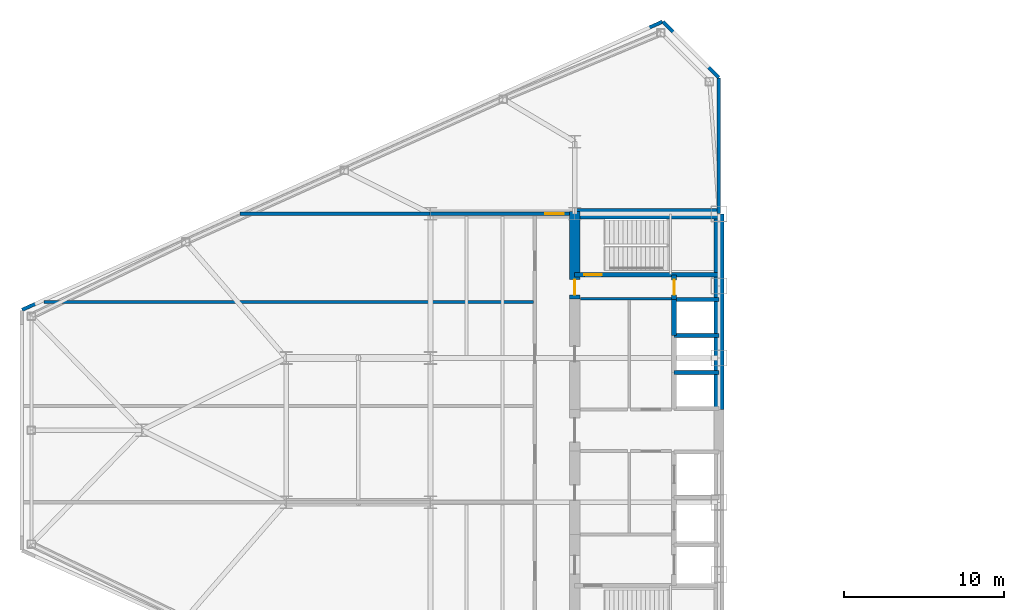
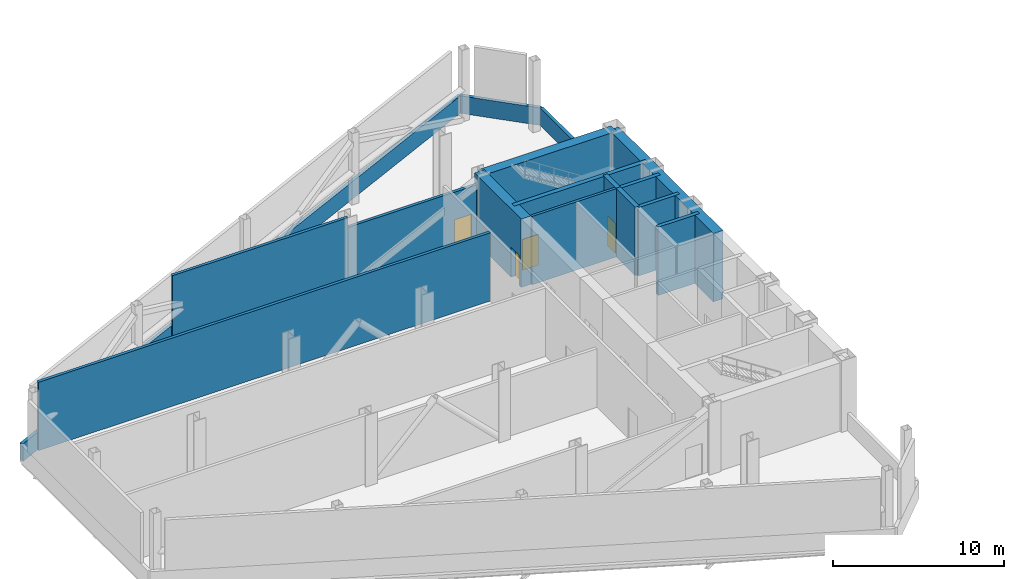
# One storey, part 7 of 11: 16 walls, 4 doors, 4 openings.
"""IFC4 building model written with IfcOpenShell, lengths in metres."""

from ifc_helpers import new_model, si_unit, direction, frame, frame_2d, origin, place, context, subcontext, project, spatial, rectangle, extrude, source, transform, mapped, material, layer, layer_set, type_object, type_shapes, element, fill, save


model = new_model("IFC4")

# Units and contexts
model_context = context("Model", 3, precision=1e-05, world=origin(), true_north=direction((0.0, 1.0)))
body_context = subcontext(model_context, "Body", "Model", "MODEL_VIEW")
ifc_project = project(units=[si_unit("LENGTHUNIT", "METRE"), si_unit("AREAUNIT", "SQUARE_METRE"), si_unit("VOLUMEUNIT", "CUBIC_METRE"), si_unit("PLANEANGLEUNIT", "RADIAN"), si_unit("MASSUNIT", "GRAM", prefix="KILO")], contexts=[model_context])

# Site, building, storey
site_placement = place(None, origin())
site = spatial("IfcSite", under=ifc_project, at=site_placement, CompositionType="ELEMENT")
building_placement = place(site_placement, origin())
building = spatial("IfcBuilding", under=site, at=building_placement, Name="Seokmaru Belvedere", CompositionType="ELEMENT")
storey_placement = place(building_placement, frame((0.0, 0.0, 87.300048828125)))
storey = spatial("IfcBuildingStorey", under=building, at=storey_placement, Name="L23", CompositionType="ELEMENT", Elevation=87.300048828125)

# Walls
ifc_material_1 = material(Name="Fire-Rated Gypsum Shaftwall")
ifc_layer_1 = layer(ifc_material_1, 0.179931640625)
ifc_layer_set_1 = layer_set([ifc_layer_1], Name="Fire-Rated Gypsum Shaftwall")
wall_type_1 = type_object("IfcWallType", Name="Core Service Fire Partition 180", PredefinedType="PARTITIONING", material=ifc_layer_set_1)
wall_1_placement = place(storey_placement, frame((-36.14990234375, 8.199951171875, 0.0), z_axis=(0.0, 0.0, 1.0), x_axis=(1.0, 0.0, 0.0)))
element("IfcWall", 1, at=wall_1_placement, inside=storey, type_object=wall_type_1, Name="L23 West Smokeproof Vestibule Partition", PredefinedType="PARTITIONING", context=body_context, shape_type="SweptSolid", body=[
    extrude(rectangle(XDim=5.699951171875, YDim=0.179931640625, at=frame_2d((2.85009765625, 0.0))), origin(), (0.0, 0.0, 1.0), 4.8798828125),
])
ifc_material_2 = material(Name="Concrete C50 (50 MPa)", Category="concrete")
ifc_layer_2 = layer(ifc_material_2, 0.25)
ifc_layer_set_2 = layer_set([ifc_layer_2], Name="Concrete C50 (50 MPa)")
wall_type_2 = type_object("IfcWallType", Name="Hoistway Transverse Concrete Divider Wall 250", PredefinedType="SHEAR", material=ifc_layer_set_2)
for number, where, z_axis, x_axis, name in (
    (2, (-30.300048828125, 3.60009765625, 0.0), (0.0, 0.0, 1.0), (1.0, 0.0, 0.0), "L23 West Hoistway Divider Core Wall 5"),
    (3, (-30.300048828125, 5.89990234375, 0.0), (0.0, 0.0, 1.0), (1.0, 0.0, 0.0), "L23 West Hoistway Divider Core Wall 6"),
    (4, (-30.300048828125, 8.14990234375, 0.0), (0.0, 0.0, 1.0), (1.0, 0.0, 0.0), "L23 West Hoistway Divider Core Wall 7"),
):
    element("IfcWall", number, at=place(storey_placement, frame(where, z_axis=z_axis, x_axis=x_axis)), inside=storey, type_object=wall_type_2, Name=name, PredefinedType="SHEAR", context=body_context, shape_type="SweptSolid", body=[
        extrude(rectangle(XDim=2.800048828125, YDim=0.25, at=frame_2d((1.39990234375, 0.0))), origin(), (0.0, 0.0, 1.0), 4.8798828125),
    ])
ifc_layer_3 = layer(ifc_material_1, 0.199951171875)
ifc_layer_set_3 = layer_set([ifc_layer_3], Name="Fire-Rated Gypsum Shaftwall")
wall_type_3 = type_object("IfcWallType", Name="Inter-Tenancy Fire Compartment Partition 200", PredefinedType="PARTITIONING", material=ifc_layer_set_3)
wall_2_placement = place(storey_placement, frame((-69.608642578125, 8.0, 0.0), z_axis=(0.0, 0.0, 1.0), x_axis=(1.0, 0.0, 0.0)))
element("IfcWall", 5, at=wall_2_placement, inside=storey, type_object=wall_type_3, Name="L23 Interior Partition 007", PredefinedType="PARTITIONING", context=body_context, shape_type="SweptSolid", body=[
    extrude(rectangle(XDim=30.523681640625, YDim=0.199951171875, at=frame_2d((15.26171875, 0.0))), origin(), (0.0, 0.0, 1.0), 4.8798828125),
])
wall_3_placement = place(storey_placement, frame((-57.386474609375, 13.5, 0.0), z_axis=(0.0, 0.0, 1.0), x_axis=(1.0, 0.0, 0.0)))
element("IfcWall", 6, at=wall_3_placement, inside=storey, type_object=wall_type_3, Name="L23 Interior Partition 009", PredefinedType="PARTITIONING", context=body_context, shape_type="SweptSolid", body=[
    extrude(rectangle(XDim=11.866455078125, YDim=0.199951171875, at=frame_2d((5.93310546875, 0.0))), origin(), (0.0, 0.0, 1.0), 4.8798828125),
])

# Wall, opening, door
wall_4_placement = place(storey_placement, frame((-45.52001953125, 13.5, 0.0), z_axis=(0.0, 0.0, 1.0), x_axis=(1.0, 0.0, 0.0)))
wall_4 = element("IfcWall", 7, at=wall_4_placement, inside=storey, type_object=wall_type_3, Name="L23 Interior Partition 009 Part 2", PredefinedType="PARTITIONING", context=body_context, shape_type="SweptSolid", body=[
    extrude(rectangle(XDim=8.68994140625, YDim=0.199951171875, at=frame_2d((4.344970703125, 0.0))), origin(), (0.0, 0.0, 1.0), 4.179931640625),
])
opening_1_placement = place(wall_4_placement, frame((7.195068359375, 0.0, 0.0)))
opening_1 = element("IfcOpeningElement", 8, at=opening_1_placement, cuts=wall_4, Name="Opening D02", PredefinedType="OPENING", context=body_context, shape_type="SweptSolid", body=[
    extrude(rectangle(XDim=1.14990234375, YDim=2.199951171875, at=frame_2d((0.574951171875, 1.10009765625))), frame((0.0, 0.10986328125, 0.0), z_axis=(0.0, -1.0, 0.0), x_axis=(1.0, 0.0, 0.0)), (0.0, 0.0, 1.0), 0.219970703125),
])
ifc_material_3 = material(Name="Fire-Rated Steel Leaf", Category="steel")
door_type_1 = type_object("IfcDoorType", Name="Lobby and Vestibule Fire Door 1150x2200", OperationType="NOTDEFINED", PredefinedType="DOOR", material=ifc_material_3)
shared_shape_1 = source(origin(), body_context, "Body", "SweptSolid", [
    extrude(rectangle(XDim=1.14990234375, YDim=2.199951171875, at=frame_2d((0.574951171875, 1.10009765625))), frame((0.0, 0.02490234375, 0.0), z_axis=(0.0, -1.0, 0.0), x_axis=(1.0, 0.0, 0.0)), (0.0, 0.0, 1.0), 0.050048828125),
])
type_shapes(door_type_1, [shared_shape_1])
door_1_placement = place(opening_1_placement, origin())
door_1 = element("IfcDoor", 9, at=door_1_placement, inside=storey, type_object=door_type_1, Name="L23 Interior Door 002", OperationType="SINGLE_SWING_RIGHT", OverallHeight=2.199951171875, OverallWidth=1.14990234375, PredefinedType="DOOR", context=body_context, shape_type="MappedRepresentation", body=[
    mapped(shared_shape_1, transform((0.0, 0.0, 0.0), scale=1.0)),
])
fill(opening_1, door_1)

ifc_layer_4 = layer(ifc_material_2, 0.300048828125)
ifc_layer_set_4 = layer_set([ifc_layer_4], Name="Concrete C50 (50 MPa)")
wall_type_4 = type_object("IfcWallType", Name="Internal Core Stair and Hoistway Wall 300", PredefinedType="SHEAR", material=ifc_layer_set_4)
wall_5_placement = place(storey_placement, frame((-36.5, 9.699951171875, 0.0), z_axis=(0.0, 0.0, 1.0), x_axis=(1.0, 0.0, 0.0)))
wall_5 = element("IfcWall", 10, at=wall_5_placement, inside=storey, type_object=wall_type_4, Name="L23 West Stair ST-2 Enclosure Wall", PredefinedType="SHEAR", context=body_context, shape_type="SweptSolid", body=[
    extrude(rectangle(XDim=9.0, YDim=0.300048828125, at=frame_2d((4.5, 0.0))), origin(), (0.0, 0.0, 1.0), 4.8798828125),
])
opening_2_placement = place(wall_5_placement, frame((0.60009765625, 0.0, 0.0)))
opening_2 = element("IfcOpeningElement", 11, at=opening_2_placement, cuts=wall_5, Name="Opening D01", PredefinedType="OPENING", context=body_context, shape_type="SweptSolid", body=[
    extrude(rectangle(XDim=1.10009765625, YDim=2.199951171875, at=frame_2d((0.550048828125, 1.10009765625))), frame((0.0, 0.16015625, 0.0), z_axis=(0.0, -1.0, 0.0), x_axis=(1.0, 0.0, 0.0)), (0.0, 0.0, 1.0), 0.320068359375),
])
door_type_2 = type_object("IfcDoorType", Name="Special Escape Stair Smokeproof Fire Door 1100x2200", OperationType="NOTDEFINED", PredefinedType="DOOR", material=ifc_material_3)
shared_shape_2 = source(origin(), body_context, "Body", "SweptSolid", [
    extrude(rectangle(XDim=1.10009765625, YDim=2.199951171875, at=frame_2d((0.550048828125, 1.10009765625))), frame((0.0, 0.02490234375, 0.0), z_axis=(0.0, -1.0, 0.0), x_axis=(1.0, 0.0, 0.0)), (0.0, 0.0, 1.0), 0.050048828125),
])
type_shapes(door_type_2, [shared_shape_2])
door_2_placement = place(opening_2_placement, origin())
door_2 = element("IfcDoor", 12, at=door_2_placement, inside=storey, type_object=door_type_2, Name="L23 West Special Escape Stair ST-2 Door", OperationType="SINGLE_SWING_RIGHT", OverallHeight=2.199951171875, OverallWidth=1.10009765625, PredefinedType="DOOR", context=body_context, shape_type="MappedRepresentation", body=[
    mapped(shared_shape_2, transform((0.0, 0.0, 0.0), scale=1.0)),
])
fill(opening_2, door_2)

# Wall
wall_6_placement = place(storey_placement, frame((-30.300048828125, 5.89990234375, 0.0), z_axis=(0.0, 0.0, 1.0), x_axis=(0.0, 1.0, 0.0)))
element("IfcWall", 13, at=wall_6_placement, inside=storey, type_object=wall_type_4, Name="L23 West North Hoistway Wall OBS", PredefinedType="SHEAR", context=body_context, shape_type="SweptSolid", body=[
    extrude(rectangle(XDim=2.25, YDim=0.300048828125, at=frame_2d((1.125, 0.0))), origin(), (0.0, 0.0, 1.0), 4.8798828125),
])

# Wall, opening, door
wall_7_placement = place(storey_placement, frame((-30.300048828125, 8.14990234375, 0.0), z_axis=(0.0, 0.0, 1.0), x_axis=(0.0, 1.0, 0.0)))
wall_7 = element("IfcWall", 14, at=wall_7_placement, inside=storey, type_object=wall_type_4, Name="L23 West Electrical Riser Front Wall", PredefinedType="SHEAR", context=body_context, shape_type="SweptSolid", body=[
    extrude(rectangle(XDim=1.530029296875, YDim=0.300048828125, at=frame_2d((0.76513671875, 0.0))), origin(), (0.0, 0.0, 1.0), 4.8798828125),
])
opening_3_placement = place(wall_7_placement, frame((0.284912109375, 0.0, 0.0)))
opening_3 = element("IfcOpeningElement", 15, at=opening_3_placement, cuts=wall_7, Name="Opening D04", PredefinedType="OPENING", context=body_context, shape_type="SweptSolid", body=[
    extrude(rectangle(XDim=0.949951171875, YDim=2.14990234375, at=frame_2d((0.47509765625, 1.074951171875))), frame((0.0, 0.16015625, 0.0), z_axis=(0.0, -1.0, 0.0), x_axis=(1.0, 0.0, 0.0)), (0.0, 0.0, 1.0), 0.320068359375),
])
door_type_3 = type_object("IfcDoorType", Name="Core Service Room Fire Door 950x2150", OperationType="NOTDEFINED", PredefinedType="DOOR", material=ifc_material_3)
shared_shape_3 = source(origin(), body_context, "Body", "SweptSolid", [
    extrude(rectangle(XDim=0.949951171875, YDim=2.14990234375, at=frame_2d((0.47509765625, 1.074951171875))), frame((0.0, 0.02490234375, 0.0), z_axis=(0.0, -1.0, 0.0), x_axis=(1.0, 0.0, 0.0)), (0.0, 0.0, 1.0), 0.050048828125),
])
type_shapes(door_type_3, [shared_shape_3])
door_3_placement = place(opening_3_placement, origin())
door_3 = element("IfcDoor", 16, at=door_3_placement, inside=storey, type_object=door_type_3, Name="L23 West Electrical Riser Access Door", OperationType="SINGLE_SWING_LEFT", OverallHeight=2.14990234375, OverallWidth=0.949951171875, PredefinedType="DOOR", context=body_context, shape_type="MappedRepresentation", body=[
    mapped(shared_shape_3, transform((0.0, 0.0, 0.0), scale=1.0)),
])
fill(opening_3, door_3)

# Walls
ifc_material_4 = material(Name="Concrete C60 (60 MPa)", Category="concrete")
ifc_layer_5 = layer(ifc_material_4, 0.64990234375)
ifc_layer_set_5 = layer_set([ifc_layer_5], Name="Concrete C60 (60 MPa)")
wall_type_5 = type_object("IfcWallType", Name="Mid-Low Reinforced Concrete Core Wall 650", PredefinedType="SHEAR", material=ifc_layer_set_5)
wall_8_placement = place(storey_placement, frame((-27.5, 1.300048828125, 0.0), z_axis=(0.0, 0.0, 1.0), x_axis=(0.0, 1.0, 0.0)))
element("IfcWall", 17, at=wall_8_placement, inside=storey, type_object=wall_type_5, Name="L23 West Portal Spine Core Wall North", PredefinedType="SHEAR", context=body_context, shape_type="SweptSolid", body=[
    extrude(rectangle(XDim=12.199951171875, YDim=0.64990234375, at=frame_2d((6.10009765625, 0.0))), origin(), (0.0, 0.0, 1.0), 4.8798828125),
])
wall_9_placement = place(storey_placement, frame((-36.5, 13.5, 0.0), z_axis=(0.0, 0.0, 1.0), x_axis=(1.0, 0.0, 0.0)))
element("IfcWall", 18, at=wall_9_placement, inside=storey, type_object=wall_type_5, Name="L23 West North Core Wall", PredefinedType="SHEAR", context=body_context, shape_type="SweptSolid", body=[
    extrude(rectangle(XDim=9.0, YDim=0.64990234375, at=frame_2d((4.5, 0.0))), origin(), (0.0, 0.0, 1.0), 4.8798828125),
])

# Wall, opening, door
wall_10_placement = place(storey_placement, frame((-36.5, 8.199951171875, 0.0), z_axis=(0.0, 0.0, 1.0), x_axis=(0.0, 1.0, 0.0)))
wall_10 = element("IfcWall", 19, at=wall_10_placement, inside=storey, type_object=wall_type_5, Name="L23 West West Core Wall VST", PredefinedType="SHEAR", context=body_context, shape_type="SweptSolid", body=[
    extrude(rectangle(XDim=5.449951171875, YDim=0.64990234375, at=frame_2d((2.72509765625, 0.0))), origin(), (0.0, 0.0, 1.0), 4.8798828125),
])
opening_4_placement = place(wall_10_placement, frame((0.2451171875, 0.0, 0.0)))
opening_4 = element("IfcOpeningElement", 20, at=opening_4_placement, cuts=wall_10, Name="Opening D04", PredefinedType="OPENING", context=body_context, shape_type="SweptSolid", body=[
    extrude(rectangle(XDim=0.949951171875, YDim=2.14990234375, at=frame_2d((0.47509765625, 1.074951171875))), frame((0.0, 0.3349609375, 0.0), z_axis=(0.0, -1.0, 0.0), x_axis=(1.0, 0.0, 0.0)), (0.0, 0.0, 1.0), 0.669921875),
])
door_4_placement = place(opening_4_placement, frame((0.949951171875, 0.0, 0.0), z_axis=(0.0, 0.0, 1.0), x_axis=(-1.0, 0.0, 0.0)))
door_4 = element("IfcDoor", 21, at=door_4_placement, inside=storey, type_object=door_type_3, Name="L23 West Smokeproof Vestibule Door", OperationType="SINGLE_SWING_RIGHT", OverallHeight=2.14990234375, OverallWidth=0.949951171875, PredefinedType="DOOR", context=body_context, shape_type="MappedRepresentation", body=[
    mapped(shared_shape_3, transform((0.0, 0.0, 0.0), scale=1.0)),
])
fill(opening_4, door_4)

# Walls
ifc_material_5 = material(Name="Concrete C40 (40 MPa)", Category="concrete")
ifc_layer_6 = layer(ifc_material_5, 0.219970703125)
ifc_layer_set_6 = layer_set([ifc_layer_6], Name="Concrete C40 (40 MPa)")
wall_type_6 = type_object("IfcWallType", Name="Refuge and Roof Concrete Parapet 220", PredefinedType="PARAPET", material=ifc_layer_set_6)
wall_11_placement = place(storey_placement, frame((-27.5, 13.52001953125, 0.0), z_axis=(0.0, 0.0, 1.0), x_axis=(0.0, 1.0, 0.0)))
element("IfcWall", 22, at=wall_11_placement, inside=storey, type_object=wall_type_6, Name="L23 W Refuge Spine Shoulder Parapet 2", PredefinedType="PARAPET", context=body_context, shape_type="SweptSolid", body=[
    extrude(rectangle(XDim=8.4599609375, YDim=0.219970703125, at=frame_2d((4.22998046875, 0.0))), origin(), (0.0, 0.0, 1.0), 1.25),
])
wall_12_placement = place(storey_placement, frame((-27.51416015625, 22.01416015625, 0.0), z_axis=(0.0, 0.0, 1.0), x_axis=(-0.707106781187, 0.707106781187, 0.0)))
element("IfcWall", 23, at=wall_12_placement, inside=storey, type_object=wall_type_6, Name="L23 W Refuge Perimeter Parapet 2", PredefinedType="PARAPET", context=body_context, shape_type="SweptSolid", body=[
    extrude(rectangle(XDim=4.90966796875, YDim=0.219970703125, at=frame_2d((2.454833984375, 0.0))), origin(), (0.0, 0.0, 1.0), 1.25),
])
wall_13_placement = place(storey_placement, frame((-31.018310546875, 25.49169921875, 0.0), z_axis=(0.0, 0.0, 1.0), x_axis=(-0.911922547569, -0.410362360889, 0.0)))
element("IfcWall", 24, at=wall_13_placement, inside=storey, type_object=wall_type_6, Name="L23 W Refuge Perimeter Parapet 3", PredefinedType="PARAPET", context=body_context, shape_type="SweptSolid", body=[
    extrude(rectangle(XDim=43.8232421875, YDim=0.219970703125, at=frame_2d((21.91162109375, 0.0))), origin(), (0.0, 0.0, 1.0), 1.25),
])

save(model, "model.ifc")
